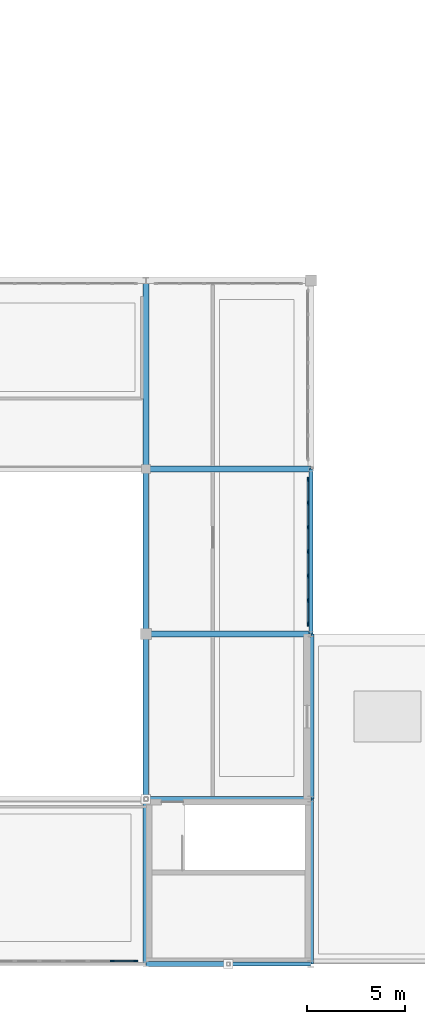
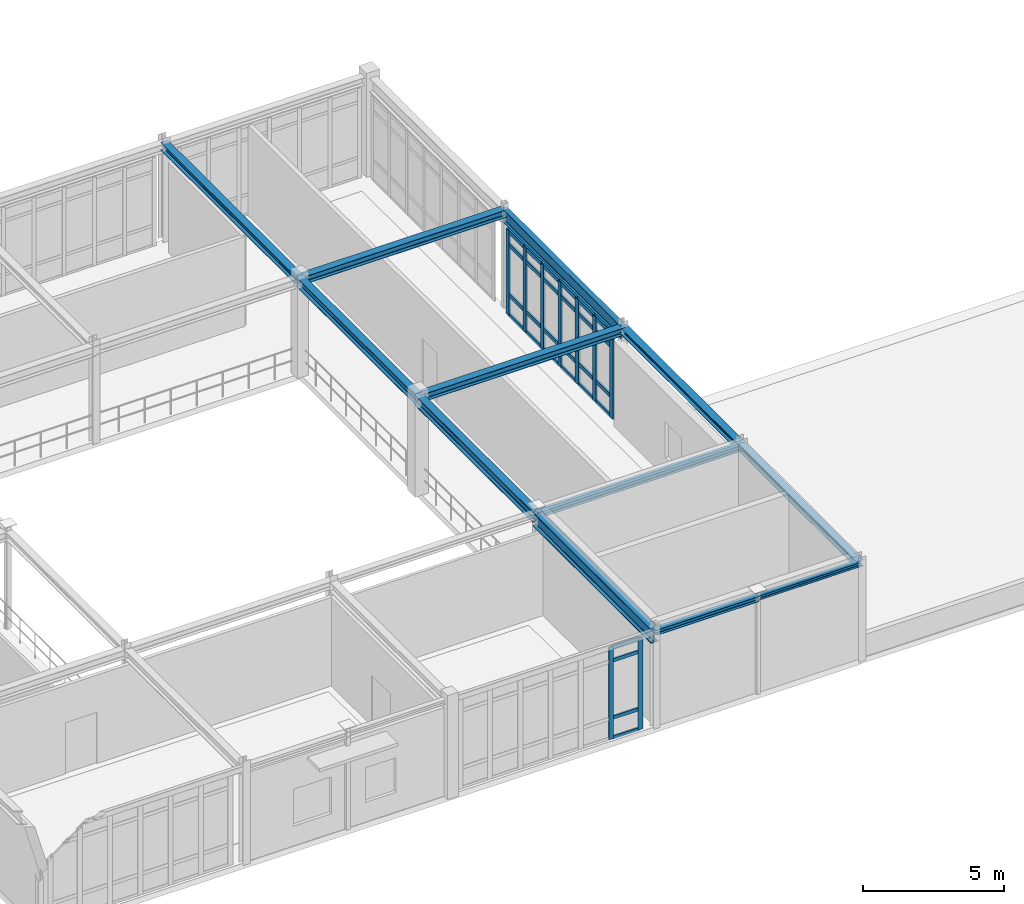
# One storey, part 61 of 106: 37 members, 12 beams, 2 elements without a shape of their own.
"""IFC4 building model written with IfcOpenShell, lengths in metres."""

from ifc_helpers import new_model, si_unit, derived_unit, direction, frame, origin, origin_2d, place, context, subcontext, project, spatial, rectangle, i_section, extrude, material, layer, layer_set, material_profile, profile_set, type_object, element, aggregate, save


model = new_model("IFC4")

# Units and contexts
model_context = context("Model", 3, precision=1e-05, world=origin(), true_north=direction((0.0, 1.0)))
body_context = subcontext(model_context, "Body", "Model", "MODEL_VIEW")
ifc_project = project(units=[si_unit("LENGTHUNIT", "METRE"), si_unit("AREAUNIT", "SQUARE_METRE"), si_unit("VOLUMEUNIT", "CUBIC_METRE"), si_unit("PLANEANGLEUNIT", "RADIAN"), si_unit("MASSUNIT", "GRAM", prefix="KILO"), derived_unit("THERMALTRANSMITTANCEUNIT", [(si_unit("POWERUNIT", "WATT"), 1), (si_unit("AREAUNIT", "SQUARE_METRE"), -1), (si_unit("THERMODYNAMICTEMPERATUREUNIT", "KELVIN"), -1)])], contexts=[model_context])

# Site, building, storey
site_placement = place(None, origin())
site = spatial("IfcSite", under=ifc_project, at=site_placement, CompositionType="ELEMENT")
building_placement = place(site_placement, origin())
building = spatial("IfcBuilding", under=site, at=building_placement, Name="Yasenodar Specialist Clinic", CompositionType="ELEMENT")
storey_placement = place(building_placement, frame((0.0, 0.0, 4.5)))
storey = spatial("IfcBuildingStorey", under=building, at=storey_placement, Name="L01", CompositionType="ELEMENT", Elevation=4.5)

# Beams
ifc_material_1 = material(Name="Steel S355", Category="steel")
ifc_material_profile_1 = material_profile(ifc_material_1, i_section(OverallWidth=0.260009765625, OverallDepth=0.25, WebThickness=0.007568359375, FlangeThickness=0.012451171875, FilletRadius=0.02392578125, at=origin_2d()), Name="HEA 260")
ifc_profile_set_1 = profile_set([ifc_material_profile_1], Name="Steel S355")
beam_type_1 = type_object("IfcBeamType", Name="BM-HEA260", PredefinedType="BEAM", material=ifc_profile_set_1)
beam_1_placement = place(storey_placement, frame((130.199951171875, 8.39990234375, 4.125), z_axis=(1.0, 0.0, 0.0), x_axis=(0.0, 1.0, 0.0)))
element("IfcBeam", 1, at=beam_1_placement, inside=storey, type_object=beam_type_1, Name="L01 Primary E-W Girder", PredefinedType="BEAM", context=body_context, shape_type="SweptSolid", body=[
    extrude(i_section(OverallWidth=0.260009765625, OverallDepth=0.25, WebThickness=0.007568359375, FlangeThickness=0.012451171875, FilletRadius=0.02392578125, at=origin_2d()), origin(), (0.0, 0.0, 1.0), 8.400146484375),
])
ifc_material_profile_2 = material_profile(ifc_material_1, i_section(OverallWidth=0.300048828125, OverallDepth=0.2900390625, WebThickness=0.008544921875, FlangeThickness=0.013916015625, FilletRadius=0.027099609375, at=origin_2d()), Name="HEA 300")
ifc_profile_set_2 = profile_set([ifc_material_profile_2], Name="Steel S355")
beam_type_2 = type_object("IfcBeamType", Name="BM-HEA300", PredefinedType="BEAM", material=ifc_profile_set_2)
beam_2_placement = place(storey_placement, frame((138.60009765625, 8.39990234375, 4.10498046875), z_axis=(0.0, 1.0, 0.0), x_axis=(-1.0, 0.0, 0.0)))
element("IfcBeam", 2, at=beam_2_placement, inside=storey, type_object=beam_type_2, Name="L01 Primary N-S Girder", PredefinedType="BEAM", context=body_context, shape_type="SweptSolid", body=[
    extrude(i_section(OverallWidth=0.300048828125, OverallDepth=0.2900390625, WebThickness=0.008544921875, FlangeThickness=0.013916015625, FilletRadius=0.027099609375, at=origin_2d()), origin(), (0.0, 0.0, 1.0), 8.400146484375),
])
ifc_material_profile_3 = material_profile(ifc_material_1, i_section(OverallWidth=0.300048828125, OverallDepth=0.330078125, WebThickness=0.009521484375, FlangeThickness=0.0166015625, FilletRadius=0.027099609375, at=origin_2d()), Name="HEA 340")
ifc_profile_set_3 = profile_set([ifc_material_profile_3], Name="Steel S355")
beam_type_3 = type_object("IfcBeamType", Name="BM-HEA340", PredefinedType="BEAM", material=ifc_profile_set_3)
for number, where, z_axis, x_axis, name in (
    (3, (130.199951171875, 16.800048828125, 4.0849609375), (1.0, 0.0, 0.0), (0.0, 1.0, 0.0), "L01 Primary E-W Girder"),
    (4, (130.199951171875, 25.199951171875, 4.0849609375), (1.0, 0.0, 0.0), (0.0, 1.0, 0.0), "L01 Primary E-W Girder"),
):
    element("IfcBeam", number, at=place(storey_placement, frame(where, z_axis=z_axis, x_axis=x_axis)), inside=storey, type_object=beam_type_3, Name=name, PredefinedType="BEAM", context=body_context, shape_type="SweptSolid", body=[
        extrude(i_section(OverallWidth=0.300048828125, OverallDepth=0.330078125, WebThickness=0.009521484375, FlangeThickness=0.0166015625, FilletRadius=0.027099609375, at=origin_2d()), origin(), (0.0, 0.0, 1.0), 8.400146484375),
    ])
ifc_material_profile_4 = material_profile(ifc_material_1, i_section(OverallWidth=0.280029296875, OverallDepth=0.280029296875, WebThickness=0.010498046875, FlangeThickness=0.01806640625, FilletRadius=0.02392578125, at=origin_2d()), Name="HEB 280")
ifc_profile_set_4 = profile_set([ifc_material_profile_4], Name="Steel S355")
beam_type_4 = type_object("IfcBeamType", Name="BM-HEB280", PredefinedType="BEAM", material=ifc_profile_set_4)
beam_3_placement = place(storey_placement, frame((138.60009765625, 0.0, 4.110107421875), z_axis=(0.0, 1.0, 0.0), x_axis=(-1.0, 0.0, 0.0)))
element("IfcBeam", 5, at=beam_3_placement, inside=storey, type_object=beam_type_4, Name="L01 Primary N-S Girder", PredefinedType="BEAM", context=body_context, shape_type="SweptSolid", body=[
    extrude(i_section(OverallWidth=0.280029296875, OverallDepth=0.280029296875, WebThickness=0.010498046875, FlangeThickness=0.01806640625, FilletRadius=0.02392578125, at=origin_2d()), origin(), (0.0, 0.0, 1.0), 8.39990234375),
])
ifc_material_profile_5 = material_profile(ifc_material_1, i_section(OverallWidth=0.300048828125, OverallDepth=0.340087890625, WebThickness=0.011962890625, FlangeThickness=0.021484375, FilletRadius=0.027099609375, at=origin_2d()), Name="HEB 340")
ifc_profile_set_5 = profile_set([ifc_material_profile_5], Name="Steel S355")
beam_type_5 = type_object("IfcBeamType", Name="BM-HEB340", PredefinedType="BEAM", material=ifc_profile_set_5)
beam_4_placement = place(storey_placement, frame((130.199951171875, 25.199951171875, 4.080078125), z_axis=(0.0, 1.0, 0.0), x_axis=(-1.0, 0.0, 0.0)))
element("IfcBeam", 6, at=beam_4_placement, inside=storey, type_object=beam_type_5, Name="L01 Primary N-S Girder", PredefinedType="BEAM", context=body_context, shape_type="SweptSolid", body=[
    extrude(i_section(OverallWidth=0.300048828125, OverallDepth=0.340087890625, WebThickness=0.011962890625, FlangeThickness=0.021484375, FilletRadius=0.027099609375, at=origin_2d()), origin(), (0.0, 0.0, 1.0), 9.60009765625),
])
ifc_material_profile_6 = material_profile(ifc_material_1, i_section(OverallWidth=0.300048828125, OverallDepth=0.39990234375, WebThickness=0.013427734375, FlangeThickness=0.02392578125, FilletRadius=0.027099609375, at=origin_2d()), Name="HEB 400")
ifc_profile_set_6 = profile_set([ifc_material_profile_6], Name="Steel S355")
beam_type_6 = type_object("IfcBeamType", Name="BM-HEB400", PredefinedType="BEAM", material=ifc_profile_set_6)
beam_5_placement = place(storey_placement, frame((130.199951171875, 16.800048828125, 4.050048828125), z_axis=(0.0, 1.0, 0.0), x_axis=(-1.0, 0.0, 0.0)))
element("IfcBeam", 7, at=beam_5_placement, inside=storey, type_object=beam_type_6, Name="L01 Primary N-S Girder", PredefinedType="BEAM", context=body_context, shape_type="SweptSolid", body=[
    extrude(i_section(OverallWidth=0.300048828125, OverallDepth=0.39990234375, WebThickness=0.013427734375, FlangeThickness=0.02392578125, FilletRadius=0.027099609375, at=origin_2d()), origin(), (0.0, 0.0, 1.0), 8.39990234375),
])
ifc_material_profile_7 = material_profile(ifc_material_1, i_section(OverallWidth=0.300048828125, OverallDepth=0.449951171875, WebThickness=0.013916015625, FlangeThickness=0.02587890625, FilletRadius=0.027099609375, at=origin_2d()), Name="HEB 450")
ifc_profile_set_7 = profile_set([ifc_material_profile_7], Name="Steel S355")
beam_type_7 = type_object("IfcBeamType", Name="BM-HEB450", PredefinedType="BEAM", material=ifc_profile_set_7)
beam_6_placement = place(storey_placement, frame((130.199951171875, 8.39990234375, 4.02490234375), z_axis=(0.0, 1.0, 0.0), x_axis=(-1.0, 0.0, 0.0)))
element("IfcBeam", 8, at=beam_6_placement, inside=storey, type_object=beam_type_7, Name="L01 Primary N-S Girder", PredefinedType="BEAM", context=body_context, shape_type="SweptSolid", body=[
    extrude(i_section(OverallWidth=0.300048828125, OverallDepth=0.449951171875, WebThickness=0.013916015625, FlangeThickness=0.02587890625, FilletRadius=0.027099609375, at=origin_2d()), origin(), (0.0, 0.0, 1.0), 8.400146484375),
])
ifc_material_profile_8 = material_profile(ifc_material_1, i_section(OverallWidth=0.300048828125, OverallDepth=0.60009765625, WebThickness=0.015380859375, FlangeThickness=0.030029296875, FilletRadius=0.027099609375, at=origin_2d()), Name="HEB 600")
ifc_profile_set_8 = profile_set([ifc_material_profile_8], Name="Steel S355")
beam_type_8 = type_object("IfcBeamType", Name="BM-HEB600", PredefinedType="BEAM", material=ifc_profile_set_8)
beam_7_placement = place(storey_placement, frame((130.199951171875, 0.0, 3.949951171875), z_axis=(0.0, 1.0, 0.0), x_axis=(-1.0, 0.0, 0.0)))
element("IfcBeam", 9, at=beam_7_placement, inside=storey, type_object=beam_type_8, Name="L01 Primary N-S Girder", PredefinedType="BEAM", context=body_context, shape_type="SweptSolid", body=[
    extrude(i_section(OverallWidth=0.300048828125, OverallDepth=0.60009765625, WebThickness=0.015380859375, FlangeThickness=0.030029296875, FilletRadius=0.027099609375, at=origin_2d()), origin(), (0.0, 0.0, 1.0), 8.39990234375),
])
ifc_material_profile_9 = material_profile(ifc_material_1, i_section(OverallWidth=0.2099609375, OverallDepth=0.550048828125, WebThickness=0.010986328125, FlangeThickness=0.01708984375, FilletRadius=0.02392578125, at=origin_2d()), Name="IPE 550")
ifc_profile_set_9 = profile_set([ifc_material_profile_9], Name="Steel S355")
beam_type_9 = type_object("IfcBeamType", Name="BM-IPE550", PredefinedType="BEAM", material=ifc_profile_set_9)
beam_8_placement = place(storey_placement, frame((138.60009765625, 16.800048828125, 3.97509765625), z_axis=(0.0, 1.0, 0.0), x_axis=(-1.0, 0.0, 0.0)))
element("IfcBeam", 10, at=beam_8_placement, inside=storey, type_object=beam_type_9, Name="L01 Primary N-S Girder", PredefinedType="BEAM", context=body_context, shape_type="SweptSolid", body=[
    extrude(i_section(OverallWidth=0.2099609375, OverallDepth=0.550048828125, WebThickness=0.010986328125, FlangeThickness=0.01708984375, FilletRadius=0.02392578125, at=origin_2d()), origin(), (0.0, 0.0, 1.0), 8.39990234375),
])

# Curtain wall, members
ifc_material_2 = material(Name="Bronze Anodized Aluminium and Triple Low-E Glass", Category="aluminium")
ifc_layer = layer(ifc_material_2, 0.178955078125)
ifc_layer_set = layer_set([ifc_layer], Name="Bronze Anodized Aluminium and Triple Low-E Glass")
curtain_wall_type = type_object("IfcCurtainWallType", Name="CW-SYS-02", PredefinedType="USERDEFINED", material=ifc_layer_set)
curtain_wall_1_placement = place(storey_placement, origin())
curtain_wall_1 = element("IfcCurtainWall", 11, at=curtain_wall_1_placement, inside=storey, type_object=curtain_wall_type, Name="L01 Unitised Curtain Wall 092", ObjectType="UNITISED CURTAIN WALL", PredefinedType="USERDEFINED")
ifc_material_3 = material(Name="Bronze Anodized Aluminium", Category="aluminium")
ifc_material_profile_10 = material_profile(ifc_material_3, rectangle(XDim=0.070068359375, YDim=0.199951171875, at=origin_2d()), Name="CW-MULL 70x200")
ifc_profile_set_10 = profile_set([ifc_material_profile_10], Name="Bronze Anodized Aluminium")
member_type_1 = type_object("IfcMemberType", Name="CW-MULL-200", PredefinedType="MULLION", material=ifc_profile_set_10)
member_1_placement = place(storey_placement, frame((129.68505859375, 0.14990234375, 0.0), z_axis=(0.0, 0.0, 1.0), x_axis=(0.0, -1.0, 0.0)))
member_1 = element("IfcMember", 12, at=member_1_placement, type_object=member_type_1, Name="CW-02 mullion 1", PredefinedType="MULLION", context=body_context, shape_type="SweptSolid", body=[
    extrude(rectangle(XDim=0.070068359375, YDim=0.199951171875, at=origin_2d()), origin(), (0.0, 0.0, 1.0), 3.97802734375),
])
member_2_placement = place(storey_placement, frame((128.47998046875, 0.14990234375, 0.0), z_axis=(0.0, 0.0, 1.0), x_axis=(0.0, -1.0, 0.0)))
member_2 = element("IfcMember", 13, at=member_2_placement, type_object=member_type_1, Name="CW-02 mullion 2", PredefinedType="MULLION", context=body_context, shape_type="SweptSolid", body=[
    extrude(rectangle(XDim=0.070068359375, YDim=0.199951171875, at=origin_2d()), origin(), (0.0, 0.0, 1.0), 3.97802734375),
])

curtain_wall_2_placement = place(storey_placement, origin())
curtain_wall_2 = element("IfcCurtainWall", 14, at=curtain_wall_2_placement, inside=storey, type_object=curtain_wall_type, Name="L01 Unitised Curtain Wall 100", ObjectType="UNITISED CURTAIN WALL", PredefinedType="USERDEFINED")
ifc_material_profile_11 = material_profile(ifc_material_3, rectangle(XDim=0.074951171875, YDim=0.22509765625, at=origin_2d()), Name="CW-MULL 75x225")
ifc_profile_set_11 = profile_set([ifc_material_profile_11], Name="Bronze Anodized Aluminium")
member_type_2 = type_object("IfcMemberType", Name="CW-MULL-225", PredefinedType="MULLION", material=ifc_profile_set_11)
member_3_placement = place(storey_placement, frame((138.449951171875, 24.6826171875, 0.0), z_axis=(0.0, 0.0, 1.0), x_axis=(1.0, 0.0, 0.0)))
member_3 = element("IfcMember", 15, at=member_3_placement, type_object=member_type_2, Name="CW-02 mullion 1", PredefinedType="MULLION", context=body_context, shape_type="SweptSolid", body=[
    extrude(rectangle(XDim=0.074951171875, YDim=0.22509765625, at=origin_2d()), origin(), (0.0, 0.0, 1.0), 3.677978515625),
])
member_4_placement = place(storey_placement, frame((138.449951171875, 23.47998046875, 0.0), z_axis=(0.0, 0.0, 1.0), x_axis=(1.0, 0.0, 0.0)))
member_4 = element("IfcMember", 16, at=member_4_placement, type_object=member_type_2, Name="CW-02 mullion 2", PredefinedType="MULLION", context=body_context, shape_type="SweptSolid", body=[
    extrude(rectangle(XDim=0.074951171875, YDim=0.22509765625, at=origin_2d()), origin(), (0.0, 0.0, 1.0), 3.677978515625),
])
member_5_placement = place(storey_placement, frame((138.449951171875, 22.239990234375, 0.0), z_axis=(0.0, 0.0, 1.0), x_axis=(1.0, 0.0, 0.0)))
member_5 = element("IfcMember", 17, at=member_5_placement, type_object=member_type_2, Name="CW-02 mullion 3", PredefinedType="MULLION", context=body_context, shape_type="SweptSolid", body=[
    extrude(rectangle(XDim=0.074951171875, YDim=0.22509765625, at=origin_2d()), origin(), (0.0, 0.0, 1.0), 3.677978515625),
])
member_6_placement = place(storey_placement, frame((138.449951171875, 21.0, 0.0), z_axis=(0.0, 0.0, 1.0), x_axis=(1.0, 0.0, 0.0)))
member_6 = element("IfcMember", 18, at=member_6_placement, type_object=member_type_2, Name="CW-02 mullion 4", PredefinedType="MULLION", context=body_context, shape_type="SweptSolid", body=[
    extrude(rectangle(XDim=0.074951171875, YDim=0.22509765625, at=origin_2d()), origin(), (0.0, 0.0, 1.0), 3.677978515625),
])
member_7_placement = place(storey_placement, frame((138.449951171875, 19.760009765625, 0.0), z_axis=(0.0, 0.0, 1.0), x_axis=(1.0, 0.0, 0.0)))
member_7 = element("IfcMember", 19, at=member_7_placement, type_object=member_type_2, Name="CW-02 mullion 5", PredefinedType="MULLION", context=body_context, shape_type="SweptSolid", body=[
    extrude(rectangle(XDim=0.074951171875, YDim=0.22509765625, at=origin_2d()), origin(), (0.0, 0.0, 1.0), 3.677978515625),
])
member_8_placement = place(storey_placement, frame((138.449951171875, 18.52001953125, 0.0), z_axis=(0.0, 0.0, 1.0), x_axis=(1.0, 0.0, 0.0)))
member_8 = element("IfcMember", 20, at=member_8_placement, type_object=member_type_2, Name="CW-02 mullion 6", PredefinedType="MULLION", context=body_context, shape_type="SweptSolid", body=[
    extrude(rectangle(XDim=0.074951171875, YDim=0.22509765625, at=origin_2d()), origin(), (0.0, 0.0, 1.0), 3.677978515625),
])
member_9_placement = place(storey_placement, frame((138.449951171875, 17.3173828125, 0.0), z_axis=(0.0, 0.0, 1.0), x_axis=(1.0, 0.0, 0.0)))
member_9 = element("IfcMember", 21, at=member_9_placement, type_object=member_type_2, Name="CW-02 mullion 7", PredefinedType="MULLION", context=body_context, shape_type="SweptSolid", body=[
    extrude(rectangle(XDim=0.074951171875, YDim=0.22509765625, at=origin_2d()), origin(), (0.0, 0.0, 1.0), 3.677978515625),
])

# Member
ifc_material_profile_12 = material_profile(ifc_material_3, rectangle(XDim=0.070068359375, YDim=0.14990234375, at=origin_2d()), Name="CW-TRAN 70x150")
ifc_profile_set_12 = profile_set([ifc_material_profile_12], Name="Bronze Anodized Aluminium")
member_type_3 = type_object("IfcMemberType", Name="CW-TRAN-150", PredefinedType="USERDEFINED", material=ifc_profile_set_12)
member_10_placement = place(storey_placement, frame((129.64990234375, 0.14990234375, 0.034912109375), z_axis=(-1.0, 0.0, 0.0), x_axis=(0.0, -1.0, 0.0)))
member_10 = element("IfcMember", 22, at=member_10_placement, type_object=member_type_3, Name="CW-02 transom 1.1", ObjectType="TRANSOM", PredefinedType="USERDEFINED", context=body_context, shape_type="SweptSolid", body=[
    extrude(rectangle(XDim=0.070068359375, YDim=0.14990234375, at=origin_2d()), origin(), (0.0, 0.0, 1.0), 1.135009765625),
])

member_11_placement = place(storey_placement, frame((129.64990234375, 0.14990234375, 0.89990234375), z_axis=(-1.0, 0.0, 0.0), x_axis=(0.0, -1.0, 0.0)))
member_11 = element("IfcMember", 23, at=member_11_placement, type_object=member_type_3, Name="CW-02 transom 1.2", ObjectType="TRANSOM", PredefinedType="USERDEFINED", context=body_context, shape_type="SweptSolid", body=[
    extrude(rectangle(XDim=0.070068359375, YDim=0.14990234375, at=origin_2d()), origin(), (0.0, 0.0, 1.0), 1.135009765625),
])

member_12_placement = place(storey_placement, frame((129.64990234375, 0.14990234375, 3.3779296875), z_axis=(-1.0, 0.0, 0.0), x_axis=(0.0, -1.0, 0.0)))
member_12 = element("IfcMember", 24, at=member_12_placement, type_object=member_type_3, Name="CW-02 transom 1.3", ObjectType="TRANSOM", PredefinedType="USERDEFINED", context=body_context, shape_type="SweptSolid", body=[
    extrude(rectangle(XDim=0.070068359375, YDim=0.14990234375, at=origin_2d()), origin(), (0.0, 0.0, 1.0), 1.135009765625),
])

member_13_placement = place(storey_placement, frame((129.64990234375, 0.14990234375, 3.943115234375), z_axis=(-1.0, 0.0, 0.0), x_axis=(0.0, -1.0, 0.0)))
member_13 = element("IfcMember", 25, at=member_13_placement, type_object=member_type_3, Name="CW-02 transom 1.4", ObjectType="TRANSOM", PredefinedType="USERDEFINED", context=body_context, shape_type="SweptSolid", body=[
    extrude(rectangle(XDim=0.070068359375, YDim=0.14990234375, at=origin_2d()), origin(), (0.0, 0.0, 1.0), 1.135009765625),
])

aggregate(curtain_wall_1, [member_1, member_2, member_10, member_11, member_12, member_13])

ifc_material_profile_13 = material_profile(ifc_material_3, rectangle(XDim=0.074951171875, YDim=0.175048828125, at=origin_2d()), Name="CW-TRAN 75x175")
ifc_profile_set_13 = profile_set([ifc_material_profile_13], Name="Bronze Anodized Aluminium")
member_type_4 = type_object("IfcMemberType", Name="CW-TRAN-175", PredefinedType="USERDEFINED", material=ifc_profile_set_13)
member_14_placement = place(storey_placement, frame((138.449951171875, 24.64501953125, 0.03759765625), z_axis=(0.0, -1.0, 0.0), x_axis=(1.0, 0.0, 0.0)))
member_14 = element("IfcMember", 26, at=member_14_placement, type_object=member_type_4, Name="CW-02 transom 1.1", ObjectType="TRANSOM", PredefinedType="USERDEFINED", context=body_context, shape_type="SweptSolid", body=[
    extrude(rectangle(XDim=0.074951171875, YDim=0.175048828125, at=origin_2d()), origin(), (0.0, 0.0, 1.0), 1.12744140625),
])

member_15_placement = place(storey_placement, frame((138.449951171875, 24.64501953125, 0.89990234375), z_axis=(0.0, -1.0, 0.0), x_axis=(1.0, 0.0, 0.0)))
member_15 = element("IfcMember", 27, at=member_15_placement, type_object=member_type_4, Name="CW-02 transom 1.2", ObjectType="TRANSOM", PredefinedType="USERDEFINED", context=body_context, shape_type="SweptSolid", body=[
    extrude(rectangle(XDim=0.074951171875, YDim=0.175048828125, at=origin_2d()), origin(), (0.0, 0.0, 1.0), 1.12744140625),
])

member_16_placement = place(storey_placement, frame((138.449951171875, 24.64501953125, 3.077880859375), z_axis=(0.0, -1.0, 0.0), x_axis=(1.0, 0.0, 0.0)))
member_16 = element("IfcMember", 28, at=member_16_placement, type_object=member_type_4, Name="CW-02 transom 1.3", ObjectType="TRANSOM", PredefinedType="USERDEFINED", context=body_context, shape_type="SweptSolid", body=[
    extrude(rectangle(XDim=0.074951171875, YDim=0.175048828125, at=origin_2d()), origin(), (0.0, 0.0, 1.0), 1.12744140625),
])

member_17_placement = place(storey_placement, frame((138.449951171875, 24.64501953125, 3.640380859375), z_axis=(0.0, -1.0, 0.0), x_axis=(1.0, 0.0, 0.0)))
member_17 = element("IfcMember", 29, at=member_17_placement, type_object=member_type_4, Name="CW-02 transom 1.4", ObjectType="TRANSOM", PredefinedType="USERDEFINED", context=body_context, shape_type="SweptSolid", body=[
    extrude(rectangle(XDim=0.074951171875, YDim=0.175048828125, at=origin_2d()), origin(), (0.0, 0.0, 1.0), 1.12744140625),
])

member_18_placement = place(storey_placement, frame((138.449951171875, 23.4423828125, 0.03759765625), z_axis=(0.0, -1.0, 0.0), x_axis=(1.0, 0.0, 0.0)))
member_18 = element("IfcMember", 30, at=member_18_placement, type_object=member_type_4, Name="CW-02 transom 2.1", ObjectType="TRANSOM", PredefinedType="USERDEFINED", context=body_context, shape_type="SweptSolid", body=[
    extrude(rectangle(XDim=0.074951171875, YDim=0.175048828125, at=origin_2d()), origin(), (0.0, 0.0, 1.0), 1.164794921875),
])

member_19_placement = place(storey_placement, frame((138.449951171875, 23.4423828125, 0.89990234375), z_axis=(0.0, -1.0, 0.0), x_axis=(1.0, 0.0, 0.0)))
member_19 = element("IfcMember", 31, at=member_19_placement, type_object=member_type_4, Name="CW-02 transom 2.2", ObjectType="TRANSOM", PredefinedType="USERDEFINED", context=body_context, shape_type="SweptSolid", body=[
    extrude(rectangle(XDim=0.074951171875, YDim=0.175048828125, at=origin_2d()), origin(), (0.0, 0.0, 1.0), 1.164794921875),
])

member_20_placement = place(storey_placement, frame((138.449951171875, 23.4423828125, 3.077880859375), z_axis=(0.0, -1.0, 0.0), x_axis=(1.0, 0.0, 0.0)))
member_20 = element("IfcMember", 32, at=member_20_placement, type_object=member_type_4, Name="CW-02 transom 2.3", ObjectType="TRANSOM", PredefinedType="USERDEFINED", context=body_context, shape_type="SweptSolid", body=[
    extrude(rectangle(XDim=0.074951171875, YDim=0.175048828125, at=origin_2d()), origin(), (0.0, 0.0, 1.0), 1.164794921875),
])

member_21_placement = place(storey_placement, frame((138.449951171875, 23.4423828125, 3.640380859375), z_axis=(0.0, -1.0, 0.0), x_axis=(1.0, 0.0, 0.0)))
member_21 = element("IfcMember", 33, at=member_21_placement, type_object=member_type_4, Name="CW-02 transom 2.4", ObjectType="TRANSOM", PredefinedType="USERDEFINED", context=body_context, shape_type="SweptSolid", body=[
    extrude(rectangle(XDim=0.074951171875, YDim=0.175048828125, at=origin_2d()), origin(), (0.0, 0.0, 1.0), 1.164794921875),
])

member_22_placement = place(storey_placement, frame((138.449951171875, 22.202392578125, 0.03759765625), z_axis=(0.0, -1.0, 0.0), x_axis=(1.0, 0.0, 0.0)))
member_22 = element("IfcMember", 34, at=member_22_placement, type_object=member_type_4, Name="CW-02 transom 3.1", ObjectType="TRANSOM", PredefinedType="USERDEFINED", context=body_context, shape_type="SweptSolid", body=[
    extrude(rectangle(XDim=0.074951171875, YDim=0.175048828125, at=origin_2d()), origin(), (0.0, 0.0, 1.0), 1.164794921875),
])

member_23_placement = place(storey_placement, frame((138.449951171875, 22.202392578125, 0.89990234375), z_axis=(0.0, -1.0, 0.0), x_axis=(1.0, 0.0, 0.0)))
member_23 = element("IfcMember", 35, at=member_23_placement, type_object=member_type_4, Name="CW-02 transom 3.2", ObjectType="TRANSOM", PredefinedType="USERDEFINED", context=body_context, shape_type="SweptSolid", body=[
    extrude(rectangle(XDim=0.074951171875, YDim=0.175048828125, at=origin_2d()), origin(), (0.0, 0.0, 1.0), 1.164794921875),
])

member_24_placement = place(storey_placement, frame((138.449951171875, 22.202392578125, 3.077880859375), z_axis=(0.0, -1.0, 0.0), x_axis=(1.0, 0.0, 0.0)))
member_24 = element("IfcMember", 36, at=member_24_placement, type_object=member_type_4, Name="CW-02 transom 3.3", ObjectType="TRANSOM", PredefinedType="USERDEFINED", context=body_context, shape_type="SweptSolid", body=[
    extrude(rectangle(XDim=0.074951171875, YDim=0.175048828125, at=origin_2d()), origin(), (0.0, 0.0, 1.0), 1.164794921875),
])

member_25_placement = place(storey_placement, frame((138.449951171875, 22.202392578125, 3.640380859375), z_axis=(0.0, -1.0, 0.0), x_axis=(1.0, 0.0, 0.0)))
member_25 = element("IfcMember", 37, at=member_25_placement, type_object=member_type_4, Name="CW-02 transom 3.4", ObjectType="TRANSOM", PredefinedType="USERDEFINED", context=body_context, shape_type="SweptSolid", body=[
    extrude(rectangle(XDim=0.074951171875, YDim=0.175048828125, at=origin_2d()), origin(), (0.0, 0.0, 1.0), 1.164794921875),
])

member_26_placement = place(storey_placement, frame((138.449951171875, 20.96240234375, 0.03759765625), z_axis=(0.0, -1.0, 0.0), x_axis=(1.0, 0.0, 0.0)))
member_26 = element("IfcMember", 38, at=member_26_placement, type_object=member_type_4, Name="CW-02 transom 4.1", ObjectType="TRANSOM", PredefinedType="USERDEFINED", context=body_context, shape_type="SweptSolid", body=[
    extrude(rectangle(XDim=0.074951171875, YDim=0.175048828125, at=origin_2d()), origin(), (0.0, 0.0, 1.0), 1.164794921875),
])

member_27_placement = place(storey_placement, frame((138.449951171875, 20.96240234375, 0.89990234375), z_axis=(0.0, -1.0, 0.0), x_axis=(1.0, 0.0, 0.0)))
member_27 = element("IfcMember", 39, at=member_27_placement, type_object=member_type_4, Name="CW-02 transom 4.2", ObjectType="TRANSOM", PredefinedType="USERDEFINED", context=body_context, shape_type="SweptSolid", body=[
    extrude(rectangle(XDim=0.074951171875, YDim=0.175048828125, at=origin_2d()), origin(), (0.0, 0.0, 1.0), 1.164794921875),
])

member_28_placement = place(storey_placement, frame((138.449951171875, 20.96240234375, 3.077880859375), z_axis=(0.0, -1.0, 0.0), x_axis=(1.0, 0.0, 0.0)))
member_28 = element("IfcMember", 40, at=member_28_placement, type_object=member_type_4, Name="CW-02 transom 4.3", ObjectType="TRANSOM", PredefinedType="USERDEFINED", context=body_context, shape_type="SweptSolid", body=[
    extrude(rectangle(XDim=0.074951171875, YDim=0.175048828125, at=origin_2d()), origin(), (0.0, 0.0, 1.0), 1.164794921875),
])

member_29_placement = place(storey_placement, frame((138.449951171875, 20.96240234375, 3.640380859375), z_axis=(0.0, -1.0, 0.0), x_axis=(1.0, 0.0, 0.0)))
member_29 = element("IfcMember", 41, at=member_29_placement, type_object=member_type_4, Name="CW-02 transom 4.4", ObjectType="TRANSOM", PredefinedType="USERDEFINED", context=body_context, shape_type="SweptSolid", body=[
    extrude(rectangle(XDim=0.074951171875, YDim=0.175048828125, at=origin_2d()), origin(), (0.0, 0.0, 1.0), 1.164794921875),
])

member_30_placement = place(storey_placement, frame((138.449951171875, 19.722412109375, 0.03759765625), z_axis=(0.0, -1.0, 0.0), x_axis=(1.0, 0.0, 0.0)))
member_30 = element("IfcMember", 42, at=member_30_placement, type_object=member_type_4, Name="CW-02 transom 5.1", ObjectType="TRANSOM", PredefinedType="USERDEFINED", context=body_context, shape_type="SweptSolid", body=[
    extrude(rectangle(XDim=0.074951171875, YDim=0.175048828125, at=origin_2d()), origin(), (0.0, 0.0, 1.0), 1.164794921875),
])

member_31_placement = place(storey_placement, frame((138.449951171875, 19.722412109375, 0.89990234375), z_axis=(0.0, -1.0, 0.0), x_axis=(1.0, 0.0, 0.0)))
member_31 = element("IfcMember", 43, at=member_31_placement, type_object=member_type_4, Name="CW-02 transom 5.2", ObjectType="TRANSOM", PredefinedType="USERDEFINED", context=body_context, shape_type="SweptSolid", body=[
    extrude(rectangle(XDim=0.074951171875, YDim=0.175048828125, at=origin_2d()), origin(), (0.0, 0.0, 1.0), 1.164794921875),
])

member_32_placement = place(storey_placement, frame((138.449951171875, 19.722412109375, 3.077880859375), z_axis=(0.0, -1.0, 0.0), x_axis=(1.0, 0.0, 0.0)))
member_32 = element("IfcMember", 44, at=member_32_placement, type_object=member_type_4, Name="CW-02 transom 5.3", ObjectType="TRANSOM", PredefinedType="USERDEFINED", context=body_context, shape_type="SweptSolid", body=[
    extrude(rectangle(XDim=0.074951171875, YDim=0.175048828125, at=origin_2d()), origin(), (0.0, 0.0, 1.0), 1.164794921875),
])

member_33_placement = place(storey_placement, frame((138.449951171875, 19.722412109375, 3.640380859375), z_axis=(0.0, -1.0, 0.0), x_axis=(1.0, 0.0, 0.0)))
member_33 = element("IfcMember", 45, at=member_33_placement, type_object=member_type_4, Name="CW-02 transom 5.4", ObjectType="TRANSOM", PredefinedType="USERDEFINED", context=body_context, shape_type="SweptSolid", body=[
    extrude(rectangle(XDim=0.074951171875, YDim=0.175048828125, at=origin_2d()), origin(), (0.0, 0.0, 1.0), 1.164794921875),
])

member_34_placement = place(storey_placement, frame((138.449951171875, 18.482421875, 0.03759765625), z_axis=(0.0, -1.0, 0.0), x_axis=(1.0, 0.0, 0.0)))
member_34 = element("IfcMember", 46, at=member_34_placement, type_object=member_type_4, Name="CW-02 transom 6.1", ObjectType="TRANSOM", PredefinedType="USERDEFINED", context=body_context, shape_type="SweptSolid", body=[
    extrude(rectangle(XDim=0.074951171875, YDim=0.175048828125, at=origin_2d()), origin(), (0.0, 0.0, 1.0), 1.12744140625),
])

member_35_placement = place(storey_placement, frame((138.449951171875, 18.482421875, 0.89990234375), z_axis=(0.0, -1.0, 0.0), x_axis=(1.0, 0.0, 0.0)))
member_35 = element("IfcMember", 47, at=member_35_placement, type_object=member_type_4, Name="CW-02 transom 6.2", ObjectType="TRANSOM", PredefinedType="USERDEFINED", context=body_context, shape_type="SweptSolid", body=[
    extrude(rectangle(XDim=0.074951171875, YDim=0.175048828125, at=origin_2d()), origin(), (0.0, 0.0, 1.0), 1.12744140625),
])

member_36_placement = place(storey_placement, frame((138.449951171875, 18.482421875, 3.077880859375), z_axis=(0.0, -1.0, 0.0), x_axis=(1.0, 0.0, 0.0)))
member_36 = element("IfcMember", 48, at=member_36_placement, type_object=member_type_4, Name="CW-02 transom 6.3", ObjectType="TRANSOM", PredefinedType="USERDEFINED", context=body_context, shape_type="SweptSolid", body=[
    extrude(rectangle(XDim=0.074951171875, YDim=0.175048828125, at=origin_2d()), origin(), (0.0, 0.0, 1.0), 1.12744140625),
])

member_37_placement = place(storey_placement, frame((138.449951171875, 18.482421875, 3.640380859375), z_axis=(0.0, -1.0, 0.0), x_axis=(1.0, 0.0, 0.0)))
member_37 = element("IfcMember", 49, at=member_37_placement, type_object=member_type_4, Name="CW-02 transom 6.4", ObjectType="TRANSOM", PredefinedType="USERDEFINED", context=body_context, shape_type="SweptSolid", body=[
    extrude(rectangle(XDim=0.074951171875, YDim=0.175048828125, at=origin_2d()), origin(), (0.0, 0.0, 1.0), 1.12744140625),
])

aggregate(curtain_wall_2, [member_3, member_4, member_5, member_6, member_7, member_8, member_9, member_14, member_15, member_16, member_17, member_18, member_19, member_20, member_21, member_22, member_23, member_24, member_25, member_26, member_27, member_28, member_29, member_30, member_31, member_32, member_33, member_34, member_35, member_36, member_37])

# Beams
ifc_material_profile_14 = material_profile(ifc_material_1, i_section(OverallWidth=0.199951171875, OverallDepth=0.18994140625, WebThickness=0.006591796875, FlangeThickness=0.010009765625, FilletRadius=0.01806640625, at=origin_2d()), Name="HEA 200")
ifc_profile_set_14 = profile_set([ifc_material_profile_14], Name="Steel S355")
beam_type_10 = type_object("IfcBeamType", Name="SP-HEA200", PredefinedType="SPANDREL", material=ifc_profile_set_14)
beam_9_placement = place(storey_placement, frame((134.39990234375, 0.0, 4.155029296875), z_axis=(1.0, 0.0, 0.0), x_axis=(0.0, 1.0, 0.0)))
element("IfcBeam", 50, at=beam_9_placement, inside=storey, type_object=beam_type_10, Name="L01 Perimeter Spandrel Beam", PredefinedType="SPANDREL", context=body_context, shape_type="SweptSolid", body=[
    extrude(i_section(OverallWidth=0.199951171875, OverallDepth=0.18994140625, WebThickness=0.006591796875, FlangeThickness=0.010009765625, FilletRadius=0.01806640625, at=origin_2d()), origin(), (0.0, 0.0, 1.0), 4.2001953125),
])
ifc_material_profile_15 = material_profile(ifc_material_1, i_section(OverallWidth=0.239990234375, OverallDepth=0.22998046875, WebThickness=0.007568359375, FlangeThickness=0.011962890625, FilletRadius=0.02099609375, at=origin_2d()), Name="HEA 240")
ifc_profile_set_15 = profile_set([ifc_material_profile_15], Name="Steel S355")
beam_type_11 = type_object("IfcBeamType", Name="SP-HEA240", PredefinedType="SPANDREL", material=ifc_profile_set_15)
beam_10_placement = place(storey_placement, frame((130.199951171875, 0.0, 4.135009765625), z_axis=(1.0, 0.0, 0.0), x_axis=(0.0, 1.0, 0.0)))
element("IfcBeam", 51, at=beam_10_placement, inside=storey, type_object=beam_type_11, Name="L01 Perimeter Spandrel Beam", PredefinedType="SPANDREL", context=body_context, shape_type="SweptSolid", body=[
    extrude(i_section(OverallWidth=0.239990234375, OverallDepth=0.22998046875, WebThickness=0.007568359375, FlangeThickness=0.011962890625, FilletRadius=0.02099609375, at=origin_2d()), origin(), (0.0, 0.0, 1.0), 4.199951171875),
])

save(model, "model.ifc")
